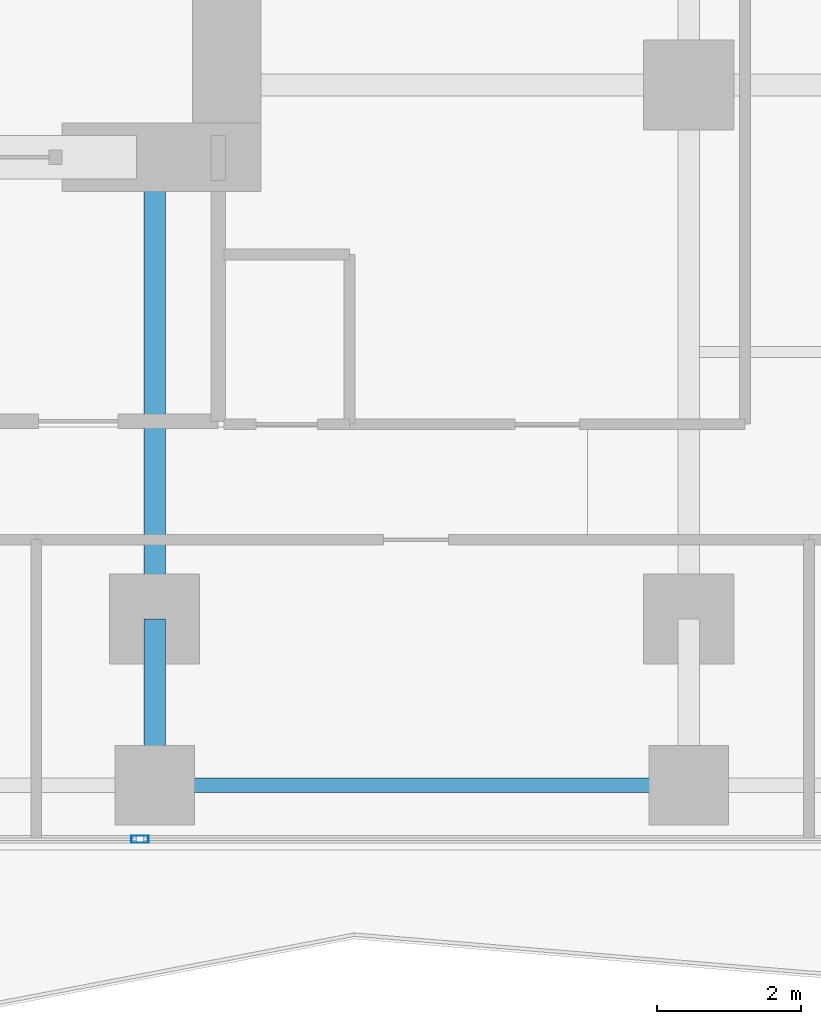
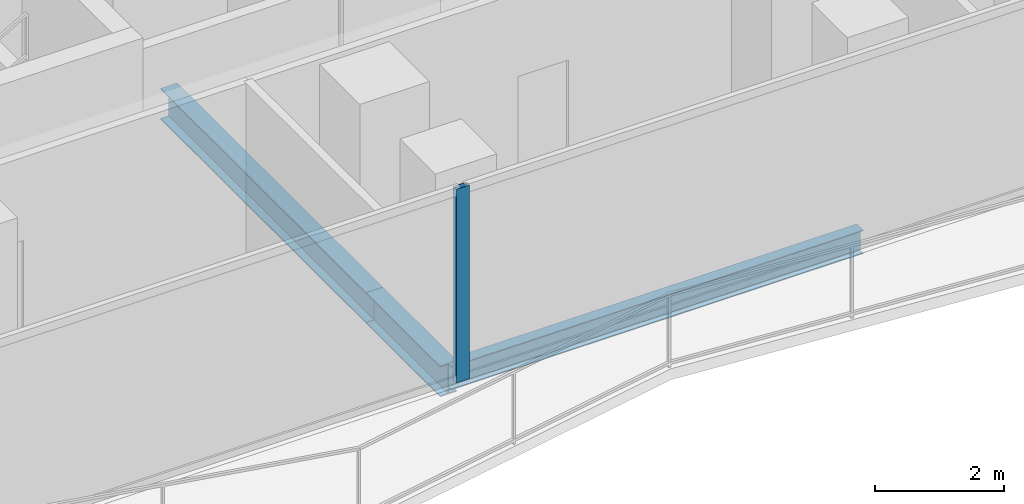
# One storey, part 4 of 28: 3 beams, 1 member, 1 element without a shape of its own.
"""IFC4 building model written with IfcOpenShell, lengths in metres."""

from ifc_helpers import new_model, si_unit, direction, frame, origin, origin_2d, place, context, subcontext, project, spatial, hollow_rectangle, i_section, extrude, material, layer, layer_set, material_profile, profile_set, type_object, element, aggregate, save


model = new_model("IFC4")

# Units and contexts
model_context = context("Model", 3, precision=1e-05, world=origin(), true_north=direction((0.0, 1.0)))
body_context = subcontext(model_context, "Body", "Model", "MODEL_VIEW")
ifc_project = project(units=[si_unit("LENGTHUNIT", "METRE"), si_unit("AREAUNIT", "SQUARE_METRE"), si_unit("VOLUMEUNIT", "CUBIC_METRE"), si_unit("PLANEANGLEUNIT", "RADIAN"), si_unit("MASSUNIT", "GRAM", prefix="KILO")], contexts=[model_context])

# Site, building, storey
site_placement = place(None, origin())
site = spatial("IfcSite", under=ifc_project, at=site_placement, CompositionType="ELEMENT")
building_placement = place(site_placement, origin())
building = spatial("IfcBuilding", under=site, at=building_placement, Name="Khorvyn Point Tower", CompositionType="ELEMENT")
storey_placement = place(building_placement, frame((0.0, 0.0, 121.199951171875)))
storey = spatial("IfcBuildingStorey", under=building, at=storey_placement, Name="L30", CompositionType="ELEMENT", Elevation=121.199951171875)

# Curtain wall, member
ifc_material_1 = material(Name="Anodised aluminium 6063-T6 and laminated Low-E glass", Category="aluminium")
ifc_layer = layer(ifc_material_1, 0.18994140625)
ifc_layer_set = layer_set([ifc_layer], Name="Stick-Built Acoustic Curtain Wall CW-SYS-03")
curtain_wall_type = type_object("IfcCurtainWallType", Name="Stick-Built Acoustic Curtain Wall CW-SYS-03", PredefinedType="NOTDEFINED", material=ifc_layer_set)
curtain_wall_placement = place(storey_placement, origin())
curtain_wall = element("IfcCurtainWall", 1, at=curtain_wall_placement, inside=storey, type_object=curtain_wall_type, Name="Curtain Wall", PredefinedType="NOTDEFINED")
ifc_material_2 = material(Name="Anodised aluminium 6063-T6", Category="aluminium")
ifc_material_profile_1 = material_profile(ifc_material_2, hollow_rectangle(XDim=0.10009765625, YDim=0.239990234375, WallThickness=0.0048828125, at=origin_2d()))
ifc_profile_set_1 = profile_set([ifc_material_profile_1], Name="Anodised aluminium 6063-T6 ALU-MUL-100x240")
member_type = type_object("IfcMemberType", Name="Anodised Aluminium 6063-T6 Mullion ALU-MUL-100x240", PredefinedType="MULLION", material=ifc_profile_set_1)
member_placement = place(storey_placement, frame((7.199462890625, -17.85009765625, 0.0), z_axis=(0.0, 0.0, 1.0), x_axis=(0.0, -1.0, 0.0)))
member = element("IfcMember", 2, at=member_placement, type_object=member_type, Name="Transom", PredefinedType="MULLION", context=body_context, shape_type="SweptSolid", body=[
    extrude(hollow_rectangle(XDim=0.10009765625, YDim=0.239990234375, WallThickness=0.0048828125, at=origin_2d()), origin(), (0.0, 0.0, 1.0), 3.679931640625),
])
aggregate(curtain_wall, [member])

# Beams
ifc_material_3 = material(Name="Steel S355", Category="steel")
ifc_material_profile_2 = material_profile(ifc_material_3, i_section(OverallWidth=0.300048828125, OverallDepth=0.587890625, WebThickness=0.011962890625, FlangeThickness=0.02001953125, at=origin_2d()))
ifc_profile_set_2 = profile_set([ifc_material_profile_2], Name="Steel S355 H588x300x12x20")
beam_type_1 = type_object("IfcBeamType", Name="Steel S355 Beam H588x300x12x20", PredefinedType="BEAM", material=ifc_profile_set_2)
beam_1_placement = place(storey_placement, frame((7.39990234375, -17.10009765625, -0.513916015625), z_axis=(0.0, 1.0, 0.0), x_axis=(-1.0, 0.0, 0.0)))
element("IfcBeam", 3, at=beam_1_placement, inside=storey, type_object=beam_type_1, Name="Beam", PredefinedType="BEAM", context=body_context, shape_type="SweptSolid", body=[
    extrude(i_section(OverallWidth=0.300048828125, OverallDepth=0.587890625, WebThickness=0.011962890625, FlangeThickness=0.02001953125, at=origin_2d()), origin(), (0.0, 0.0, 1.0), 2.300048828125),
])
beam_2_placement = place(storey_placement, frame((7.39990234375, -14.800048828125, -0.513916015625), z_axis=(0.0, 1.0, 0.0), x_axis=(-1.0, 0.0, 0.0)))
element("IfcBeam", 4, at=beam_2_placement, inside=storey, type_object=beam_type_1, Name="Beam", PredefinedType="BEAM", context=body_context, shape_type="SweptSolid", body=[
    extrude(i_section(OverallWidth=0.300048828125, OverallDepth=0.587890625, WebThickness=0.011962890625, FlangeThickness=0.02001953125, at=origin_2d()), origin(), (0.0, 0.0, 1.0), 6.400146484375),
])
ifc_material_profile_3 = material_profile(ifc_material_3, i_section(OverallWidth=0.199951171875, OverallDepth=0.449951171875, WebThickness=0.009033203125, FlangeThickness=0.013916015625, at=origin_2d()))
ifc_profile_set_3 = profile_set([ifc_material_profile_3], Name="Steel S355 H450x200x9x14")
beam_type_2 = type_object("IfcBeamType", Name="Steel S355 Spandrel H450x200x9x14", PredefinedType="SPANDREL", material=ifc_profile_set_3)
beam_3_placement = place(storey_placement, frame((7.39990234375, -17.10009765625, -0.445068359375), z_axis=(1.0, 0.0, 0.0), x_axis=(0.0, 1.0, 0.0)))
element("IfcBeam", 5, at=beam_3_placement, inside=storey, type_object=beam_type_2, Name="Beam", PredefinedType="SPANDREL", context=body_context, shape_type="SweptSolid", body=[
    extrude(i_section(OverallWidth=0.199951171875, OverallDepth=0.449951171875, WebThickness=0.009033203125, FlangeThickness=0.013916015625, at=origin_2d()), origin(), (0.0, 0.0, 1.0), 7.400146484375),
])

save(model, "model.ifc")
